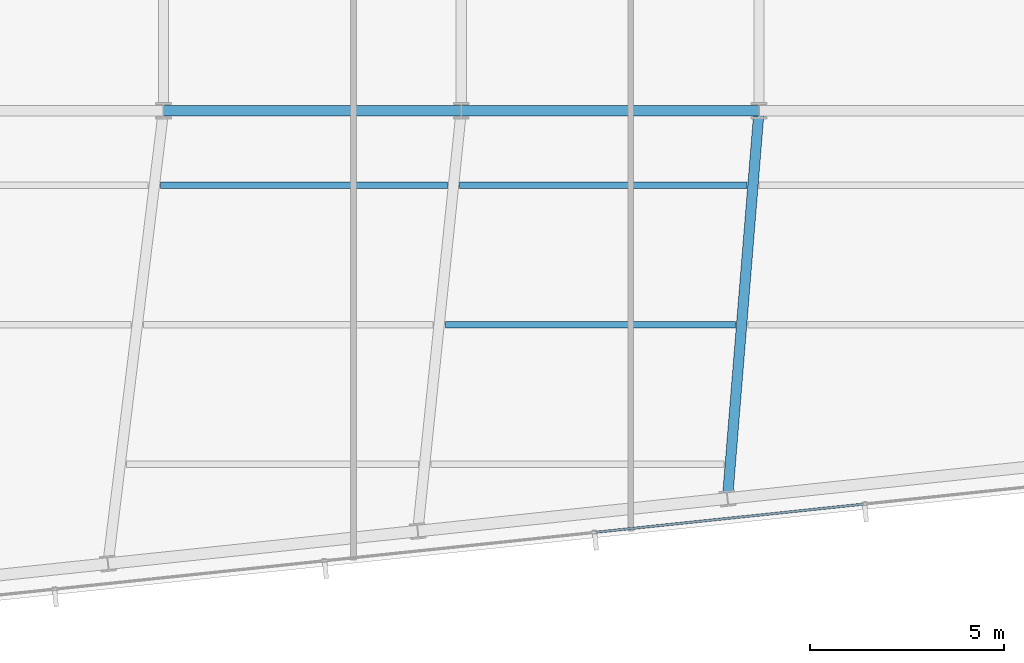
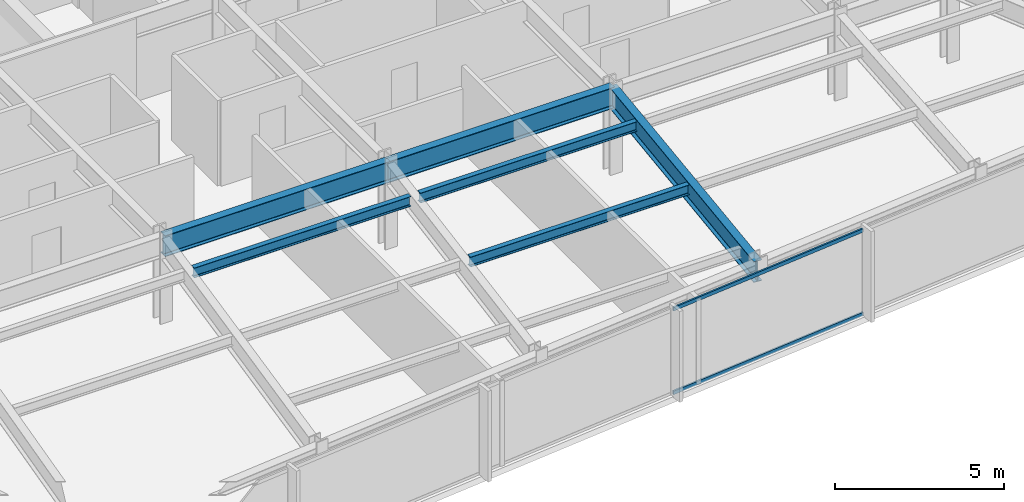
# One storey, part 9 of 32: 6 beams, 2 members, 1 element without a shape of its own.
"""IFC4 building model written with IfcOpenShell, lengths in metres."""

from ifc_helpers import new_model, si_unit, direction, frame, origin, origin_2d, place, context, subcontext, project, spatial, hollow_rectangle, i_section, extrude, material, material_profile, profile_set, type_object, element, aggregate, save


model = new_model("IFC4")

# Units and contexts
model_context = context("Model", 3, precision=1e-05, world=origin(), true_north=direction((0.0, 1.0)))
body_context = subcontext(model_context, "Body", "Model", "MODEL_VIEW")
ifc_project = project(units=[si_unit("LENGTHUNIT", "METRE"), si_unit("AREAUNIT", "SQUARE_METRE"), si_unit("VOLUMEUNIT", "CUBIC_METRE"), si_unit("PLANEANGLEUNIT", "RADIAN"), si_unit("MASSUNIT", "GRAM", prefix="KILO")], contexts=[model_context])

# Site, building, storey
site_placement = place(None, origin())
site = spatial("IfcSite", under=ifc_project, at=site_placement, CompositionType="ELEMENT")
building_placement = place(site_placement, origin())
building = spatial("IfcBuilding", under=site, at=building_placement, Name="Yelkora Congress Tower", CompositionType="ELEMENT")
storey_placement = place(building_placement, frame((0.0, 0.0, 207.800048828125)))
storey = spatial("IfcBuildingStorey", under=building, at=storey_placement, Name="L57", CompositionType="ELEMENT", Elevation=207.800048828125)

# Beams
ifc_material_1 = material(Name="Steel S355J2", Category="steel")
ifc_material_profile_1 = material_profile(ifc_material_1, i_section(OverallWidth=0.26708984375, OverallDepth=0.761962890625, WebThickness=0.014404296875, FlangeThickness=0.021484375, FilletRadius=0.01708984375, at=origin_2d()), Name="IPE 750x173")
ifc_profile_set_1 = profile_set([ifc_material_profile_1], Name="Steel S355J2")
beam_type_1 = type_object("IfcBeamType", Name="BM-GIRD-IPE750", PredefinedType="BEAM", material=ifc_profile_set_1)
beam_1_placement = place(storey_placement, frame((30.719970703125, 25.199951171875, 2.698974609375), z_axis=(1.0, 0.0, 0.0), x_axis=(0.0, 1.0, 0.0)))
element("IfcBeam", 1, at=beam_1_placement, inside=storey, type_object=beam_type_1, Name="L57 Spine Grid D Girder 3", PredefinedType="BEAM", context=body_context, shape_type="SweptSolid", body=[
    extrude(i_section(OverallWidth=0.26708984375, OverallDepth=0.761962890625, WebThickness=0.014404296875, FlangeThickness=0.021484375, FilletRadius=0.01708984375, at=origin_2d()), origin(), (0.0, 0.0, 1.0), 7.679931640625),
])
beam_2_placement = place(storey_placement, frame((38.39990234375, 25.199951171875, 2.698974609375), z_axis=(1.0, 0.0, 0.0), x_axis=(0.0, 1.0, 0.0)))
element("IfcBeam", 2, at=beam_2_placement, inside=storey, type_object=beam_type_1, Name="L57 Spine Grid D Girder 4", PredefinedType="BEAM", context=body_context, shape_type="SweptSolid", body=[
    extrude(i_section(OverallWidth=0.26708984375, OverallDepth=0.761962890625, WebThickness=0.014404296875, FlangeThickness=0.021484375, FilletRadius=0.01708984375, at=origin_2d()), origin(), (0.0, 0.0, 1.0), 7.68017578125),
])
beam_3_placement = place(storey_placement, frame((45.26708984375, 15.197509765625, 2.698974609375), z_axis=(0.081011831965, 0.996713139816, 0.0), x_axis=(-0.996713139816, 0.081011831965, 0.0)))
element("IfcBeam", 3, at=beam_3_placement, inside=storey, type_object=beam_type_1, Name="L57 Primary Frame Girder S04", PredefinedType="BEAM", context=body_context, shape_type="SweptSolid", body=[
    extrude(i_section(OverallWidth=0.26708984375, OverallDepth=0.761962890625, WebThickness=0.014404296875, FlangeThickness=0.021484375, FilletRadius=0.01708984375, at=origin_2d()), origin(), (0.0, 0.0, 1.0), 10.035400390625),
])
ifc_material_profile_2 = material_profile(ifc_material_1, i_section(OverallWidth=0.169921875, OverallDepth=0.360107421875, WebThickness=0.008056640625, FlangeThickness=0.0126953125, FilletRadius=0.01806640625, at=origin_2d()), Name="IPE 360")
ifc_profile_set_2 = profile_set([ifc_material_profile_2], Name="Steel S355J2")
beam_type_2 = type_object("IfcBeamType", Name="BM-JOIST-IPE360", PredefinedType="JOIST", material=ifc_profile_set_2)
beam_4_placement = place(storey_placement, frame((37.988525390625, 19.678466796875, 2.89990234375), z_axis=(1.0, 0.0, 0.0), x_axis=(0.0, 1.0, 0.0)))
element("IfcBeam", 4, at=beam_4_placement, inside=storey, type_object=beam_type_2, Name="L57 Composite Floor Joist 5", PredefinedType="JOIST", context=body_context, shape_type="SweptSolid", body=[
    extrude(i_section(OverallWidth=0.169921875, OverallDepth=0.360107421875, WebThickness=0.008056640625, FlangeThickness=0.0126953125, FilletRadius=0.01806640625, at=origin_2d()), origin(), (0.0, 0.0, 1.0), 7.482666015625),
])
beam_5_placement = place(storey_placement, frame((30.64453125, 23.278564453125, 2.89990234375), z_axis=(1.0, 0.0, 0.0), x_axis=(0.0, 1.0, 0.0)))
element("IfcBeam", 5, at=beam_5_placement, inside=storey, type_object=beam_type_2, Name="L57 Composite Floor Joist 10", PredefinedType="JOIST", context=body_context, shape_type="SweptSolid", body=[
    extrude(i_section(OverallWidth=0.169921875, OverallDepth=0.360107421875, WebThickness=0.008056640625, FlangeThickness=0.0126953125, FilletRadius=0.01806640625, at=origin_2d()), origin(), (0.0, 0.0, 1.0), 7.396484375),
])
beam_6_placement = place(storey_placement, frame((38.361083984375, 23.278564453125, 2.89990234375), z_axis=(1.0, 0.0, 0.0), x_axis=(0.0, 1.0, 0.0)))
element("IfcBeam", 6, at=beam_6_placement, inside=storey, type_object=beam_type_2, Name="L57 Composite Floor Joist 11", PredefinedType="JOIST", context=body_context, shape_type="SweptSolid", body=[
    extrude(i_section(OverallWidth=0.169921875, OverallDepth=0.360107421875, WebThickness=0.008056640625, FlangeThickness=0.0126953125, FilletRadius=0.01806640625, at=origin_2d()), origin(), (0.0, 0.0, 1.0), 7.40283203125),
])

# Curtain wall, members
ifc_material_2 = material(Name="Anodised aluminium and insulated glass", Category="aluminium")
curtain_wall_type = type_object("IfcCurtainWallType", Name="CW-SYS-B4", PredefinedType="NOTDEFINED", material=ifc_material_2)
curtain_wall_placement = place(storey_placement, origin())
curtain_wall = element("IfcCurtainWall", 7, at=curtain_wall_placement, inside=storey, type_object=curtain_wall_type, Name="L57 Unitised Curtain Wall 20", PredefinedType="NOTDEFINED")
ifc_material_3 = material(Name="Anodised aluminium 6063-T6", Category="aluminium")
ifc_material_profile_3 = material_profile(ifc_material_3, hollow_rectangle(XDim=0.06005859375, YDim=0.1298828125, WallThickness=0.00390625, at=origin_2d()), Name="ALU 60x130x4")
ifc_profile_set_3 = profile_set([ifc_material_profile_3], Name="Anodised aluminium 6063-T6")
member_type = type_object("IfcMemberType", Name="MEM-TR-B4", PredefinedType="USERDEFINED", material=ifc_profile_set_3)
member_1_placement = place(storey_placement, frame((48.770263671875, 15.052978515625, 0.030029296875), z_axis=(-0.99452356298, -0.104512595784, 0.0), x_axis=(0.104512595784, -0.99452356298, 0.0)))
member_1 = element("IfcMember", 8, at=member_1_placement, type_object=member_type, Name="CW-B4 transom 4.1", ObjectType="TRANSOM", PredefinedType="USERDEFINED", context=body_context, shape_type="SweptSolid", body=[
    extrude(hollow_rectangle(XDim=0.06005859375, YDim=0.1298828125, WallThickness=0.00390625, at=origin_2d()), origin(), (0.0, 0.0, 1.0), 6.93798828125),
])
member_2_placement = place(storey_placement, frame((48.770263671875, 15.052978515625, 3.050048828125), z_axis=(-0.99452356298, -0.104512595784, 0.0), x_axis=(0.104512595784, -0.99452356298, 0.0)))
member_2 = element("IfcMember", 9, at=member_2_placement, type_object=member_type, Name="CW-B4 transom 4.2", ObjectType="TRANSOM", PredefinedType="USERDEFINED", context=body_context, shape_type="SweptSolid", body=[
    extrude(hollow_rectangle(XDim=0.06005859375, YDim=0.1298828125, WallThickness=0.00390625, at=origin_2d()), origin(), (0.0, 0.0, 1.0), 6.93798828125),
])
aggregate(curtain_wall, [member_1, member_2])

save(model, "model.ifc")
